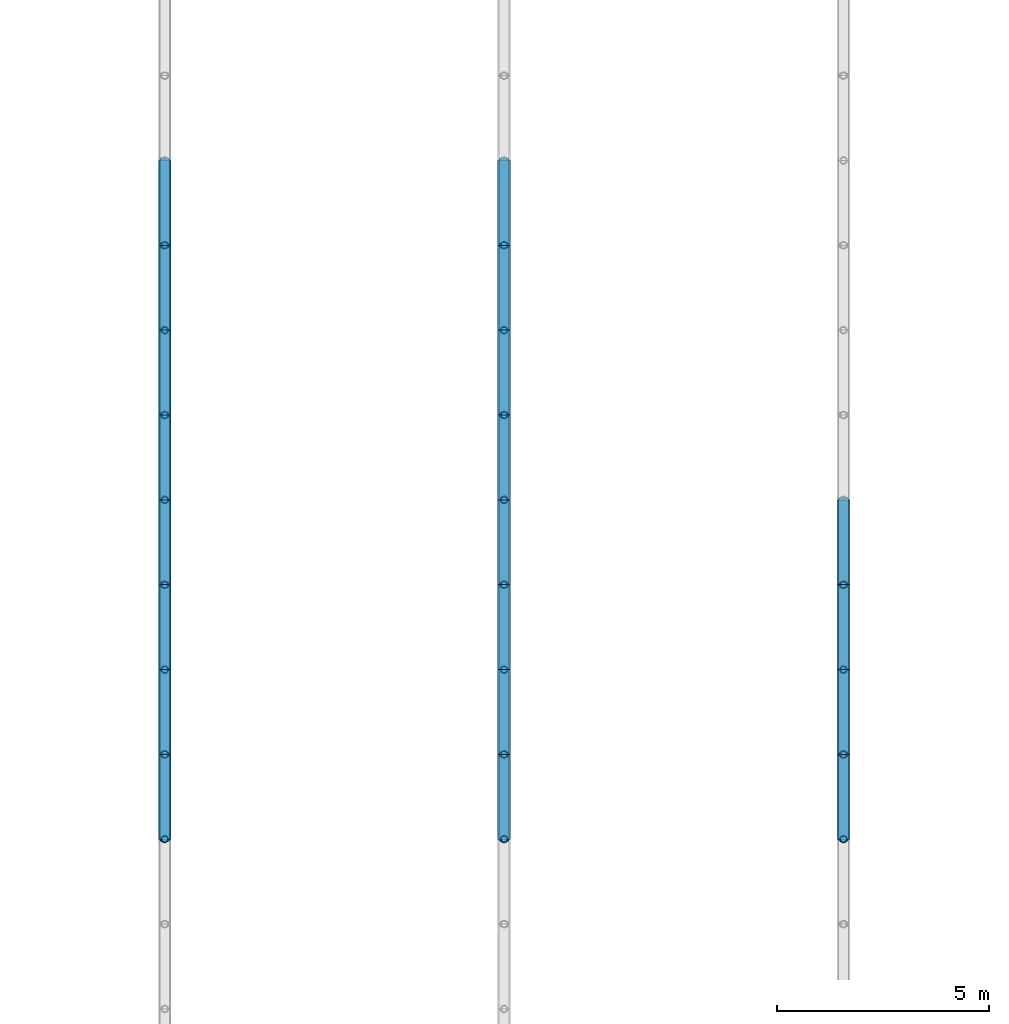
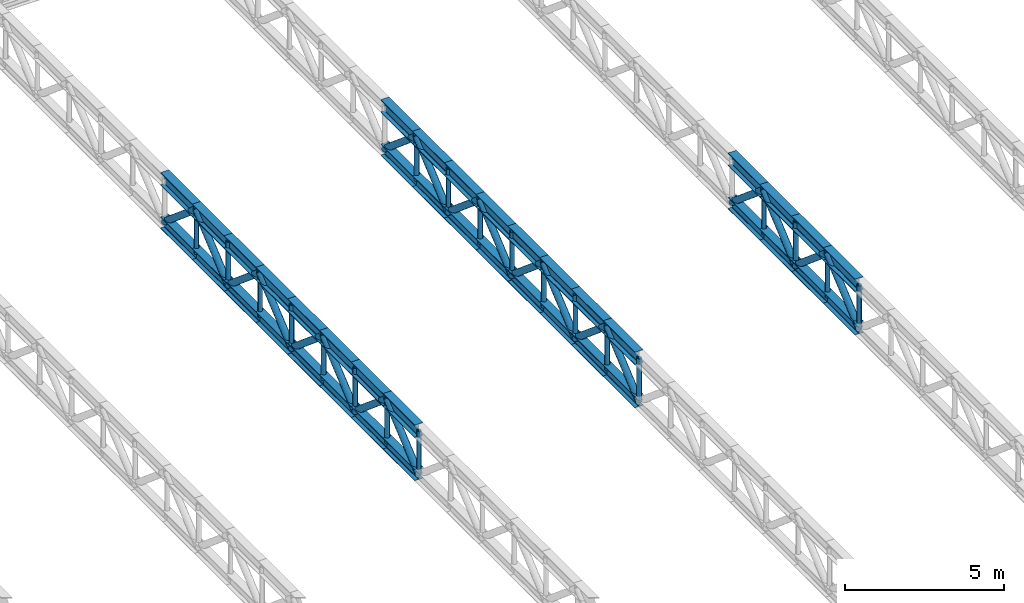
# One storey, part 24 of 67: 80 members.
"""IFC4 building model written with IfcOpenShell, lengths in metres."""

from ifc_helpers import new_model, si_unit, derived_unit, direction, frame, origin, origin_2d, place, context, subcontext, project, spatial, hollow_circle, i_section, extrude, material, material_profile, profile_set, type_object, element, save


model = new_model("IFC4")

# Units and contexts
model_context = context("Model", 3, precision=1e-05, world=origin(), true_north=direction((0.0, 1.0)))
body_context = subcontext(model_context, "Body", "Model", "MODEL_VIEW")
ifc_project = project(units=[si_unit("LENGTHUNIT", "METRE"), si_unit("AREAUNIT", "SQUARE_METRE"), si_unit("VOLUMEUNIT", "CUBIC_METRE"), si_unit("PLANEANGLEUNIT", "RADIAN"), si_unit("MASSUNIT", "GRAM", prefix="KILO"), derived_unit("THERMALTRANSMITTANCEUNIT", [(si_unit("POWERUNIT", "WATT"), 1), (si_unit("LENGTHUNIT", "METRE"), -2), (si_unit("THERMODYNAMICTEMPERATUREUNIT", "KELVIN"), -1)])], contexts=[model_context])

# Site, building, storey
site_placement = place(None, origin())
site = spatial("IfcSite", under=ifc_project, at=site_placement, CompositionType="ELEMENT")
building_placement = place(site_placement, origin())
building = spatial("IfcBuilding", under=site, at=building_placement, Name="Keldorne Ridge Multi-Sports Centre", CompositionType="ELEMENT")
storey_placement = place(building_placement, frame((0.0, 0.0, 14.0)))
storey = spatial("IfcBuildingStorey", under=building, at=storey_placement, Name="L03", CompositionType="ELEMENT", Elevation=14.0)

# Members
ifc_material = material(Name="Steel S355", Category="steel")
ifc_material_profile_1 = material_profile(ifc_material, i_section(OverallWidth=0.300048828125, OverallDepth=0.5, WebThickness=0.014404296875, FlangeThickness=0.028076171875, FilletRadius=0.027099609375, at=origin_2d()), Name="HEB 500")
ifc_profile_set_1 = profile_set([ifc_material_profile_1], Name="Steel S355")
member_type_1 = type_object("IfcMemberType", Name="MEM-TC-03", PredefinedType="CHORD", material=ifc_profile_set_1)
for number, where, z_axis, x_axis, name in (
    (1, (136.0, 22.0, 4.110107421875), (0.0, 1.0, 0.0), (-1.0, 0.0, 0.0), "Stacked Courts Warren TRUSS WT-L04-05 top chord 9"),
    (2, (136.0, 24.0, 4.110107421875), (0.0, 1.0, 0.0), (-1.0, 0.0, 0.0), "Stacked Courts Warren TRUSS WT-L04-05 top chord 10"),
    (3, (136.0, 26.0, 4.110107421875), (0.0, 1.0, 0.0), (-1.0, 0.0, 0.0), "Stacked Courts Warren TRUSS WT-L04-05 top chord 11"),
    (4, (136.0, 28.0, 4.110107421875), (0.0, 1.0, 0.0), (-1.0, 0.0, 0.0), "Stacked Courts Warren TRUSS WT-L04-05 top chord 12"),
    (5, (136.0, 30.0, 4.110107421875), (0.0, 1.0, 0.0), (-1.0, 0.0, 0.0), "Stacked Courts Warren TRUSS WT-L04-05 top chord 13"),
    (6, (136.0, 32.0, 4.110107421875), (0.0, 1.0, 0.0), (-1.0, 0.0, 0.0), "Stacked Courts Warren TRUSS WT-L04-05 top chord 14"),
    (7, (136.0, 34.0, 4.110107421875), (0.0, 1.0, 0.0), (-1.0, 0.0, 0.0), "Stacked Courts Warren TRUSS WT-L04-05 top chord 15"),
    (8, (136.0, 36.0, 4.110107421875), (0.0, 1.0, 0.0), (-1.0, 0.0, 0.0), "Stacked Courts Warren TRUSS WT-L04-05 top chord 16"),
    (9, (144.0, 22.0, 4.110107421875), (0.0, 1.0, 0.0), (-1.0, 0.0, 0.0), "Stacked Courts Warren TRUSS WT-L04-06 top chord 9"),
    (10, (144.0, 24.0, 4.110107421875), (0.0, 1.0, 0.0), (-1.0, 0.0, 0.0), "Stacked Courts Warren TRUSS WT-L04-06 top chord 10"),
    (11, (144.0, 26.0, 4.110107421875), (0.0, 1.0, 0.0), (-1.0, 0.0, 0.0), "Stacked Courts Warren TRUSS WT-L04-06 top chord 11"),
    (12, (144.0, 28.0, 4.110107421875), (0.0, 1.0, 0.0), (-1.0, 0.0, 0.0), "Stacked Courts Warren TRUSS WT-L04-06 top chord 12"),
    (13, (144.0, 30.0, 4.110107421875), (0.0, 1.0, 0.0), (-1.0, 0.0, 0.0), "Stacked Courts Warren TRUSS WT-L04-06 top chord 13"),
    (14, (144.0, 32.0, 4.110107421875), (0.0, 1.0, 0.0), (-1.0, 0.0, 0.0), "Stacked Courts Warren TRUSS WT-L04-06 top chord 14"),
    (15, (144.0, 34.0, 4.110107421875), (0.0, 1.0, 0.0), (-1.0, 0.0, 0.0), "Stacked Courts Warren TRUSS WT-L04-06 top chord 15"),
    (16, (144.0, 36.0, 4.110107421875), (0.0, 1.0, 0.0), (-1.0, 0.0, 0.0), "Stacked Courts Warren TRUSS WT-L04-06 top chord 16"),
    (17, (152.0, 22.0, 4.110107421875), (0.0, 1.0, 0.0), (-1.0, 0.0, 0.0), "Stacked Courts Warren TRUSS WT-L04-07 top chord 9"),
    (18, (152.0, 24.0, 4.110107421875), (0.0, 1.0, 0.0), (-1.0, 0.0, 0.0), "Stacked Courts Warren TRUSS WT-L04-07 top chord 10"),
    (19, (152.0, 26.0, 4.110107421875), (0.0, 1.0, 0.0), (-1.0, 0.0, 0.0), "Stacked Courts Warren TRUSS WT-L04-07 top chord 11"),
    (20, (152.0, 28.0, 4.110107421875), (0.0, 1.0, 0.0), (-1.0, 0.0, 0.0), "Stacked Courts Warren TRUSS WT-L04-07 top chord 12"),
):
    element("IfcMember", number, at=place(storey_placement, frame(where, z_axis=z_axis, x_axis=x_axis)), inside=storey, type_object=member_type_1, Name=name, PredefinedType="CHORD", context=body_context, shape_type="SweptSolid", body=[
        extrude(i_section(OverallWidth=0.300048828125, OverallDepth=0.5, WebThickness=0.014404296875, FlangeThickness=0.028076171875, FilletRadius=0.027099609375, at=origin_2d()), origin(), (0.0, 0.0, 1.0), 2.0),
    ])
ifc_material_profile_2 = material_profile(ifc_material, i_section(OverallWidth=0.300048828125, OverallDepth=0.449951171875, WebThickness=0.013916015625, FlangeThickness=0.02587890625, FilletRadius=0.027099609375, at=origin_2d()), Name="HEB 450")
ifc_profile_set_2 = profile_set([ifc_material_profile_2], Name="Steel S355")
member_type_2 = type_object("IfcMemberType", Name="MEM-TC-04", PredefinedType="CHORD", material=ifc_profile_set_2)
for number, where, z_axis, x_axis, name in (
    (21, (136.0, 22.0, 2.429931640625), (0.0, 1.0, 0.0), (-1.0, 0.0, 0.0), "Stacked Courts Warren TRUSS WT-L04-05 bottom chord 9"),
    (22, (136.0, 24.0, 2.429931640625), (0.0, 1.0, 0.0), (-1.0, 0.0, 0.0), "Stacked Courts Warren TRUSS WT-L04-05 bottom chord 10"),
    (23, (136.0, 26.0, 2.429931640625), (0.0, 1.0, 0.0), (-1.0, 0.0, 0.0), "Stacked Courts Warren TRUSS WT-L04-05 bottom chord 11"),
    (24, (136.0, 28.0, 2.429931640625), (0.0, 1.0, 0.0), (-1.0, 0.0, 0.0), "Stacked Courts Warren TRUSS WT-L04-05 bottom chord 12"),
    (25, (136.0, 30.0, 2.429931640625), (0.0, 1.0, 0.0), (-1.0, 0.0, 0.0), "Stacked Courts Warren TRUSS WT-L04-05 bottom chord 13"),
    (26, (136.0, 32.0, 2.429931640625), (0.0, 1.0, 0.0), (-1.0, 0.0, 0.0), "Stacked Courts Warren TRUSS WT-L04-05 bottom chord 14"),
    (27, (136.0, 34.0, 2.429931640625), (0.0, 1.0, 0.0), (-1.0, 0.0, 0.0), "Stacked Courts Warren TRUSS WT-L04-05 bottom chord 15"),
    (28, (136.0, 36.0, 2.429931640625), (0.0, 1.0, 0.0), (-1.0, 0.0, 0.0), "Stacked Courts Warren TRUSS WT-L04-05 bottom chord 16"),
    (29, (144.0, 22.0, 2.429931640625), (0.0, 1.0, 0.0), (-1.0, 0.0, 0.0), "Stacked Courts Warren TRUSS WT-L04-06 bottom chord 9"),
    (30, (144.0, 24.0, 2.429931640625), (0.0, 1.0, 0.0), (-1.0, 0.0, 0.0), "Stacked Courts Warren TRUSS WT-L04-06 bottom chord 10"),
    (31, (144.0, 26.0, 2.429931640625), (0.0, 1.0, 0.0), (-1.0, 0.0, 0.0), "Stacked Courts Warren TRUSS WT-L04-06 bottom chord 11"),
    (32, (144.0, 28.0, 2.429931640625), (0.0, 1.0, 0.0), (-1.0, 0.0, 0.0), "Stacked Courts Warren TRUSS WT-L04-06 bottom chord 12"),
    (33, (144.0, 30.0, 2.429931640625), (0.0, 1.0, 0.0), (-1.0, 0.0, 0.0), "Stacked Courts Warren TRUSS WT-L04-06 bottom chord 13"),
    (34, (144.0, 32.0, 2.429931640625), (0.0, 1.0, 0.0), (-1.0, 0.0, 0.0), "Stacked Courts Warren TRUSS WT-L04-06 bottom chord 14"),
    (35, (144.0, 34.0, 2.429931640625), (0.0, 1.0, 0.0), (-1.0, 0.0, 0.0), "Stacked Courts Warren TRUSS WT-L04-06 bottom chord 15"),
    (36, (144.0, 36.0, 2.429931640625), (0.0, 1.0, 0.0), (-1.0, 0.0, 0.0), "Stacked Courts Warren TRUSS WT-L04-06 bottom chord 16"),
    (37, (152.0, 22.0, 2.429931640625), (0.0, 1.0, 0.0), (-1.0, 0.0, 0.0), "Stacked Courts Warren TRUSS WT-L04-07 bottom chord 9"),
    (38, (152.0, 24.0, 2.429931640625), (0.0, 1.0, 0.0), (-1.0, 0.0, 0.0), "Stacked Courts Warren TRUSS WT-L04-07 bottom chord 10"),
    (39, (152.0, 26.0, 2.429931640625), (0.0, 1.0, 0.0), (-1.0, 0.0, 0.0), "Stacked Courts Warren TRUSS WT-L04-07 bottom chord 11"),
    (40, (152.0, 28.0, 2.429931640625), (0.0, 1.0, 0.0), (-1.0, 0.0, 0.0), "Stacked Courts Warren TRUSS WT-L04-07 bottom chord 12"),
):
    element("IfcMember", number, at=place(storey_placement, frame(where, z_axis=z_axis, x_axis=x_axis)), inside=storey, type_object=member_type_2, Name=name, PredefinedType="CHORD", context=body_context, shape_type="SweptSolid", body=[
        extrude(i_section(OverallWidth=0.300048828125, OverallDepth=0.449951171875, WebThickness=0.013916015625, FlangeThickness=0.02587890625, FilletRadius=0.027099609375, at=origin_2d()), origin(), (0.0, 0.0, 1.0), 2.0),
    ])
ifc_material_profile_3 = material_profile(ifc_material, hollow_circle(Radius=0.122314453125, WallThickness=0.012451171875, at=origin_2d()), Name="CHS 244.5x12.5")
ifc_profile_set_3 = profile_set([ifc_material_profile_3], Name="Steel S355")
member_type_3 = type_object("IfcMemberType", Name="MEM-TD-02", PredefinedType="BRACE", material=ifc_profile_set_3)
for number, where, z_axis, x_axis, name in (
    (41, (136.0, 22.0, 2.429931640625), (0.0, 0.765671721121, 0.643231541108), (-1.0, 0.0, 0.0), "Stacked Courts Warren TRUSS WT-L04-05 diagonal 9"),
    (42, (136.0, 24.0, 4.110107421875), (0.0, 0.765671721121, -0.643231541108), (-1.0, 0.0, 0.0), "Stacked Courts Warren TRUSS WT-L04-05 diagonal 10"),
    (43, (136.0, 26.0, 2.429931640625), (0.0, 0.765671721121, 0.643231541108), (-1.0, 0.0, 0.0), "Stacked Courts Warren TRUSS WT-L04-05 diagonal 11"),
    (44, (136.0, 28.0, 4.110107421875), (0.0, 0.765671721121, -0.643231541108), (-1.0, 0.0, 0.0), "Stacked Courts Warren TRUSS WT-L04-05 diagonal 12"),
    (45, (136.0, 30.0, 2.429931640625), (0.0, 0.765671721121, 0.643231541108), (-1.0, 0.0, 0.0), "Stacked Courts Warren TRUSS WT-L04-05 diagonal 13"),
    (46, (136.0, 32.0, 4.110107421875), (0.0, 0.765671721121, -0.643231541108), (-1.0, 0.0, 0.0), "Stacked Courts Warren TRUSS WT-L04-05 diagonal 14"),
    (47, (136.0, 34.0, 2.429931640625), (0.0, 0.765671721121, 0.643231541108), (-1.0, 0.0, 0.0), "Stacked Courts Warren TRUSS WT-L04-05 diagonal 15"),
    (48, (136.0, 36.0, 4.110107421875), (0.0, 0.765671721121, -0.643231541108), (-1.0, 0.0, 0.0), "Stacked Courts Warren TRUSS WT-L04-05 diagonal 16"),
    (49, (144.0, 22.0, 2.429931640625), (0.0, 0.765671721121, 0.643231541108), (-1.0, 0.0, 0.0), "Stacked Courts Warren TRUSS WT-L04-06 diagonal 9"),
    (50, (144.0, 24.0, 4.110107421875), (0.0, 0.765671721121, -0.643231541108), (-1.0, 0.0, 0.0), "Stacked Courts Warren TRUSS WT-L04-06 diagonal 10"),
    (51, (144.0, 26.0, 2.429931640625), (0.0, 0.765671721121, 0.643231541108), (-1.0, 0.0, 0.0), "Stacked Courts Warren TRUSS WT-L04-06 diagonal 11"),
    (52, (144.0, 28.0, 4.110107421875), (0.0, 0.765671721121, -0.643231541108), (-1.0, 0.0, 0.0), "Stacked Courts Warren TRUSS WT-L04-06 diagonal 12"),
    (53, (144.0, 30.0, 2.429931640625), (0.0, 0.765671721121, 0.643231541108), (-1.0, 0.0, 0.0), "Stacked Courts Warren TRUSS WT-L04-06 diagonal 13"),
    (54, (144.0, 32.0, 4.110107421875), (0.0, 0.765671721121, -0.643231541108), (-1.0, 0.0, 0.0), "Stacked Courts Warren TRUSS WT-L04-06 diagonal 14"),
    (55, (144.0, 34.0, 2.429931640625), (0.0, 0.765671721121, 0.643231541108), (-1.0, 0.0, 0.0), "Stacked Courts Warren TRUSS WT-L04-06 diagonal 15"),
    (56, (144.0, 36.0, 4.110107421875), (0.0, 0.765671721121, -0.643231541108), (-1.0, 0.0, 0.0), "Stacked Courts Warren TRUSS WT-L04-06 diagonal 16"),
    (57, (152.0, 22.0, 2.429931640625), (0.0, 0.765671721121, 0.643231541108), (-1.0, 0.0, 0.0), "Stacked Courts Warren TRUSS WT-L04-07 diagonal 9"),
    (58, (152.0, 24.0, 4.110107421875), (0.0, 0.765671721121, -0.643231541108), (-1.0, 0.0, 0.0), "Stacked Courts Warren TRUSS WT-L04-07 diagonal 10"),
    (59, (152.0, 26.0, 2.429931640625), (0.0, 0.765671721121, 0.643231541108), (-1.0, 0.0, 0.0), "Stacked Courts Warren TRUSS WT-L04-07 diagonal 11"),
    (60, (152.0, 28.0, 4.110107421875), (0.0, 0.765671721121, -0.643231541108), (-1.0, 0.0, 0.0), "Stacked Courts Warren TRUSS WT-L04-07 diagonal 12"),
):
    element("IfcMember", number, at=place(storey_placement, frame(where, z_axis=z_axis, x_axis=x_axis)), inside=storey, type_object=member_type_3, Name=name, PredefinedType="BRACE", context=body_context, shape_type="SweptSolid", body=[
        extrude(hollow_circle(Radius=0.122314453125, WallThickness=0.012451171875, at=origin_2d()), origin(), (0.0, 0.0, 1.0), 2.612060546875),
    ])
ifc_material_profile_4 = material_profile(ifc_material, hollow_circle(Radius=0.084228515625, WallThickness=0.010009765625, at=origin_2d()), Name="CHS 168.3x10")
ifc_profile_set_4 = profile_set([ifc_material_profile_4], Name="Steel S355")
member_type_4 = type_object("IfcMemberType", Name="MEM-TV-01", PredefinedType="STRUT", material=ifc_profile_set_4)
for number, where, z_axis, x_axis, name in (
    (61, (136.0, 22.0, 2.429931640625), (0.0, 0.0, 1.0), (1.0, 0.0, 0.0), "Stacked Courts Warren TRUSS WT-L04-05 post 9"),
    (62, (136.0, 24.0, 2.429931640625), (0.0, 0.0, 1.0), (1.0, 0.0, 0.0), "Stacked Courts Warren TRUSS WT-L04-05 post 10"),
    (63, (136.0, 26.0, 2.429931640625), (0.0, 0.0, 1.0), (1.0, 0.0, 0.0), "Stacked Courts Warren TRUSS WT-L04-05 post 11"),
    (64, (136.0, 28.0, 2.429931640625), (0.0, 0.0, 1.0), (1.0, 0.0, 0.0), "Stacked Courts Warren TRUSS WT-L04-05 post 12"),
    (65, (136.0, 30.0, 2.429931640625), (0.0, 0.0, 1.0), (1.0, 0.0, 0.0), "Stacked Courts Warren TRUSS WT-L04-05 post 13"),
    (66, (136.0, 32.0, 2.429931640625), (0.0, 0.0, 1.0), (1.0, 0.0, 0.0), "Stacked Courts Warren TRUSS WT-L04-05 post 14"),
    (67, (136.0, 34.0, 2.429931640625), (0.0, 0.0, 1.0), (1.0, 0.0, 0.0), "Stacked Courts Warren TRUSS WT-L04-05 post 15"),
    (68, (136.0, 36.0, 2.429931640625), (0.0, 0.0, 1.0), (1.0, 0.0, 0.0), "Stacked Courts Warren TRUSS WT-L04-05 post 16"),
    (69, (144.0, 22.0, 2.429931640625), (0.0, 0.0, 1.0), (1.0, 0.0, 0.0), "Stacked Courts Warren TRUSS WT-L04-06 post 9"),
    (70, (144.0, 24.0, 2.429931640625), (0.0, 0.0, 1.0), (1.0, 0.0, 0.0), "Stacked Courts Warren TRUSS WT-L04-06 post 10"),
    (71, (144.0, 26.0, 2.429931640625), (0.0, 0.0, 1.0), (1.0, 0.0, 0.0), "Stacked Courts Warren TRUSS WT-L04-06 post 11"),
    (72, (144.0, 28.0, 2.429931640625), (0.0, 0.0, 1.0), (1.0, 0.0, 0.0), "Stacked Courts Warren TRUSS WT-L04-06 post 12"),
    (73, (144.0, 30.0, 2.429931640625), (0.0, 0.0, 1.0), (1.0, 0.0, 0.0), "Stacked Courts Warren TRUSS WT-L04-06 post 13"),
    (74, (144.0, 32.0, 2.429931640625), (0.0, 0.0, 1.0), (1.0, 0.0, 0.0), "Stacked Courts Warren TRUSS WT-L04-06 post 14"),
    (75, (144.0, 34.0, 2.429931640625), (0.0, 0.0, 1.0), (1.0, 0.0, 0.0), "Stacked Courts Warren TRUSS WT-L04-06 post 15"),
    (76, (144.0, 36.0, 2.429931640625), (0.0, 0.0, 1.0), (1.0, 0.0, 0.0), "Stacked Courts Warren TRUSS WT-L04-06 post 16"),
    (77, (152.0, 22.0, 2.429931640625), (0.0, 0.0, 1.0), (1.0, 0.0, 0.0), "Stacked Courts Warren TRUSS WT-L04-07 post 9"),
    (78, (152.0, 24.0, 2.429931640625), (0.0, 0.0, 1.0), (1.0, 0.0, 0.0), "Stacked Courts Warren TRUSS WT-L04-07 post 10"),
    (79, (152.0, 26.0, 2.429931640625), (0.0, 0.0, 1.0), (1.0, 0.0, 0.0), "Stacked Courts Warren TRUSS WT-L04-07 post 11"),
    (80, (152.0, 28.0, 2.429931640625), (0.0, 0.0, 1.0), (1.0, 0.0, 0.0), "Stacked Courts Warren TRUSS WT-L04-07 post 12"),
):
    element("IfcMember", number, at=place(storey_placement, frame(where, z_axis=z_axis, x_axis=x_axis)), inside=storey, type_object=member_type_4, Name=name, PredefinedType="STRUT", context=body_context, shape_type="SweptSolid", body=[
        extrude(hollow_circle(Radius=0.084228515625, WallThickness=0.010009765625, at=origin_2d()), origin(), (0.0, 0.0, 1.0), 1.68017578125),
    ])

save(model, "model.ifc")
